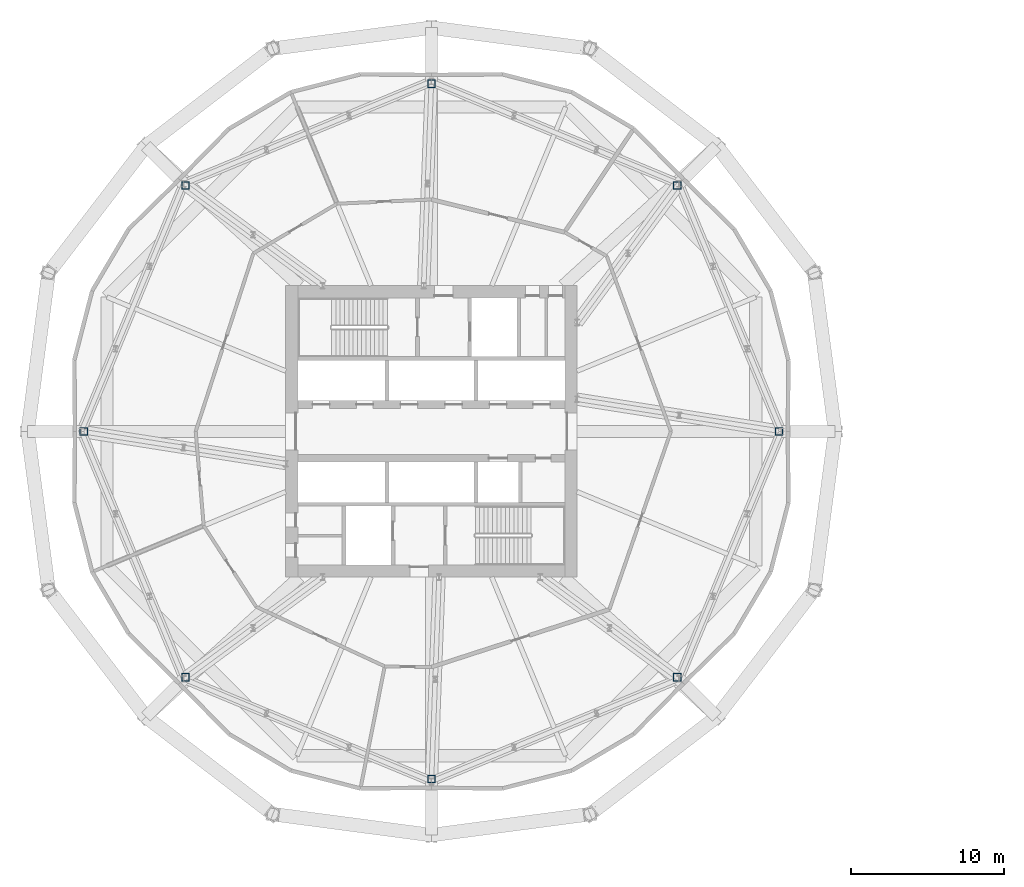
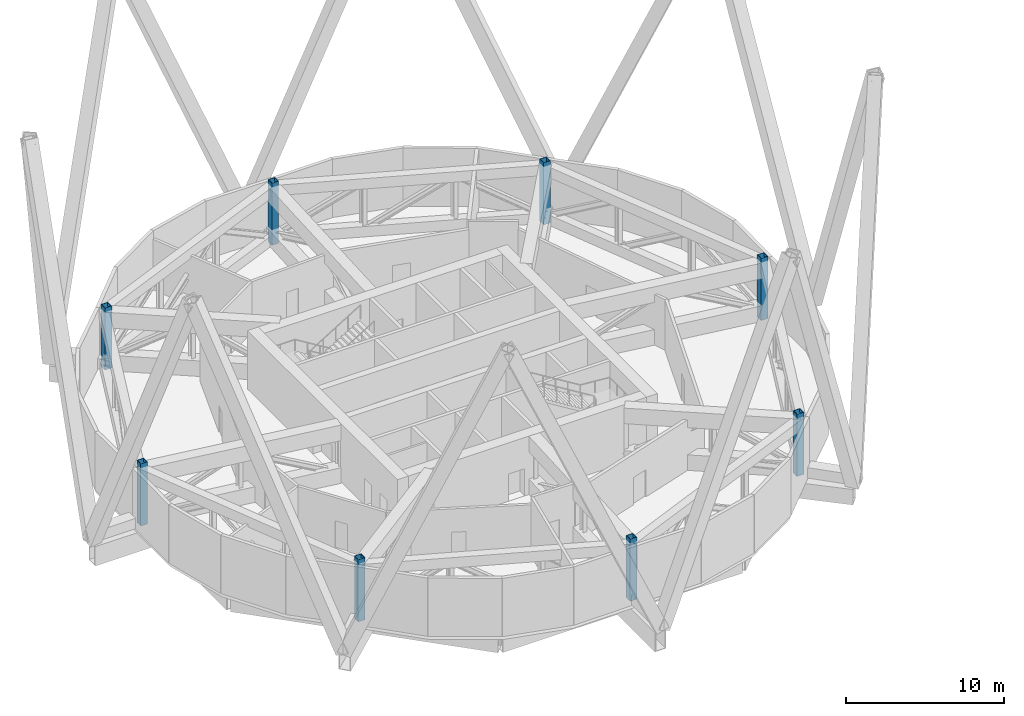
# One storey, part 1 of 21: 8 columns.
"""IFC4 building model written with IfcOpenShell, lengths in metres."""

from ifc_helpers import new_model, si_unit, direction, frame, origin, origin_2d, place, context, subcontext, project, spatial, hollow_rectangle, extrude, material, material_profile, profile_set, type_object, element, save


model = new_model("IFC4")

# Units and contexts
model_context = context("Model", 3, precision=1e-05, world=origin(), true_north=direction((0.0, 1.0)))
body_context = subcontext(model_context, "Body", "Model", "MODEL_VIEW")
ifc_project = project(units=[si_unit("LENGTHUNIT", "METRE"), si_unit("AREAUNIT", "SQUARE_METRE"), si_unit("VOLUMEUNIT", "CUBIC_METRE"), si_unit("PLANEANGLEUNIT", "RADIAN"), si_unit("MASSUNIT", "GRAM", prefix="KILO")], contexts=[model_context])

# Site, building, storey
site_placement = place(None, origin())
site = spatial("IfcSite", under=ifc_project, at=site_placement, CompositionType="ELEMENT")
building_placement = place(site_placement, origin())
building = spatial("IfcBuilding", under=site, at=building_placement, Name="Ogive Gate Towers", CompositionType="ELEMENT")
storey_placement = place(building_placement, frame((0.0, 0.0, 71.39990234375)))
storey = spatial("IfcBuildingStorey", under=building, at=storey_placement, Name="L16", CompositionType="ELEMENT", Elevation=71.39990234375)

# Columns
ifc_material = material(Name="Steel SM460", Category="steel")
ifc_material_profile = material_profile(ifc_material, hollow_rectangle(XDim=0.5, YDim=0.5, WallThickness=0.030029296875, at=origin_2d()), Name="BX 500x500x30")
ifc_profile_set = profile_set([ifc_material_profile], Name="Steel SM460")
column_type = type_object("IfcColumnType", Name="Perimeter post BX 500x500x30", PredefinedType="COLUMN", material=ifc_profile_set)
for number, where, z_axis, x_axis, name in (
    (1, (-13.330078125, 0.0, 0.0), (0.0, 0.0, 1.0), (1.0, 0.0, 0.0), "T1/L16/SCL001"),
    (2, (-19.969970703125, 16.030029296875, 0.0), (0.0, 0.0, 1.0), (1.0, 0.0, 0.0), "T1/L16/SCL002"),
    (3, (-36.0, 22.669921875, 0.0), (0.0, 0.0, 1.0), (1.0, 0.0, 0.0), "T1/L16/SCL003"),
    (4, (-52.030029296875, 16.030029296875, 0.0), (0.0, 0.0, 1.0), (1.0, 0.0, 0.0), "T1/L16/SCL004"),
    (5, (-58.669921875, 0.0, 0.0), (0.0, 0.0, 1.0), (1.0, 0.0, 0.0), "T1/L16/SCL005"),
    (6, (-52.030029296875, -16.030029296875, 0.0), (0.0, 0.0, 1.0), (1.0, 0.0, 0.0), "T1/L16/SCL006"),
    (7, (-36.0, -22.669921875, 0.0), (0.0, 0.0, 1.0), (1.0, 0.0, 0.0), "T1/L16/SCL007"),
    (8, (-19.969970703125, -16.030029296875, 0.0), (0.0, 0.0, 1.0), (1.0, 0.0, 0.0), "T1/L16/SCL008"),
):
    element("IfcColumn", number, at=place(storey_placement, frame(where, z_axis=z_axis, x_axis=x_axis)), inside=storey, type_object=column_type, Name=name, PredefinedType="COLUMN", context=body_context, shape_type="SweptSolid", body=[
        extrude(hollow_rectangle(XDim=0.5, YDim=0.5, WallThickness=0.030029296875, at=origin_2d()), origin(), (0.0, 0.0, 1.0), 4.800048828125),
    ])

save(model, "model.ifc")
